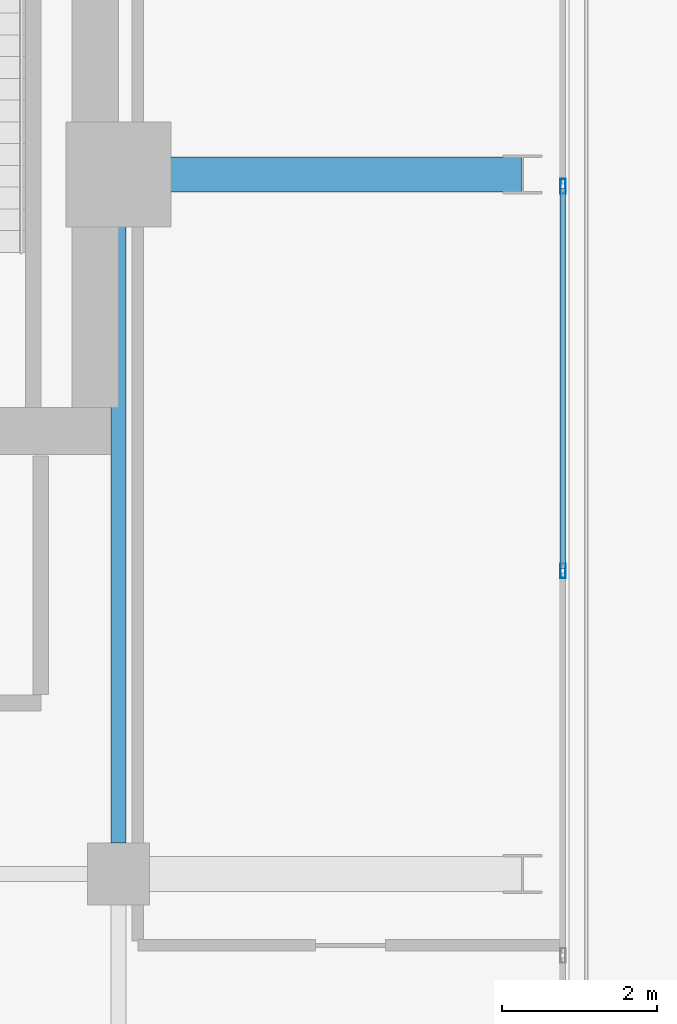
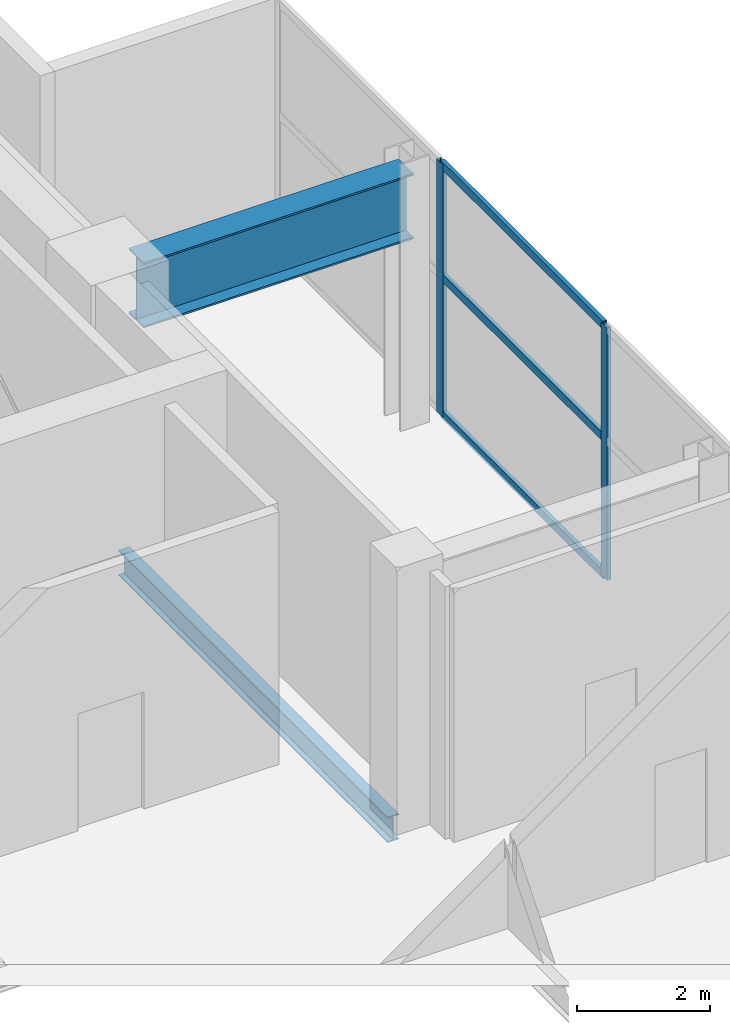
# One storey, part 12 of 22: 5 members, 2 beams, 1 element without a shape of its own.
"""IFC4 building model written with IfcOpenShell, lengths in metres."""

from ifc_helpers import new_model, si_unit, direction, frame, origin, origin_2d, place, context, subcontext, project, spatial, hollow_rectangle, i_section, extrude, material, layer, layer_set, material_profile, profile_set, type_object, element, aggregate, save


model = new_model("IFC4")

# Units and contexts
model_context = context("Model", 3, precision=1e-05, world=origin(), true_north=direction((0.0, 1.0)))
body_context = subcontext(model_context, "Body", "Model", "MODEL_VIEW")
ifc_project = project(units=[si_unit("LENGTHUNIT", "METRE"), si_unit("AREAUNIT", "SQUARE_METRE"), si_unit("VOLUMEUNIT", "CUBIC_METRE"), si_unit("PLANEANGLEUNIT", "RADIAN"), si_unit("MASSUNIT", "GRAM", prefix="KILO")], contexts=[model_context])

# Site, building, storey
site_placement = place(None, origin())
site = spatial("IfcSite", under=ifc_project, at=site_placement, CompositionType="ELEMENT")
building_placement = place(site_placement, origin())
building = spatial("IfcBuilding", under=site, at=building_placement, Name="Maruvema Waterfront Hotel and Observation Tower", CompositionType="ELEMENT")
storey_placement = place(building_placement, frame((0.0, 0.0, 354.199951171875)))
storey = spatial("IfcBuildingStorey", under=building, at=storey_placement, Name="L87", CompositionType="ELEMENT", Elevation=354.199951171875)

# Curtain wall, members
ifc_material_1 = material(Name="Anodised bronze aluminium and solar-control low-E IGU", Category="aluminium")
ifc_layer = layer(ifc_material_1, 0.159912109375, Name="Observation Crown Structural Glazed Curtain Wall System CW-06")
ifc_layer_set = layer_set([ifc_layer], Name="Anodised bronze aluminium and solar-control low-E IGU")
curtain_wall_type = type_object("IfcCurtainWallType", Name="Observation Crown Structural Glazed Curtain Wall System CW-06", PredefinedType="USERDEFINED", material=ifc_layer_set)
curtain_wall_placement = place(storey_placement, origin())
curtain_wall = element("IfcCurtainWall", 1, at=curtain_wall_placement, inside=storey, type_object=curtain_wall_type, Name="L87 Curtain Wall CW-L87-EN", ObjectType="UNITISED CURTAIN WALL", PredefinedType="USERDEFINED")
ifc_material_2 = material(Name="Anodised architectural bronze aluminium", Category="aluminium")
ifc_material_profile_1 = material_profile(ifc_material_2, hollow_rectangle(XDim=0.070068359375, YDim=0.14990234375, WallThickness=0.00390625, at=origin_2d()), Name="ALU-T70x150")
ifc_profile_set_1 = profile_set([ifc_material_profile_1], Name="Anodised architectural bronze aluminium")
member_type_1 = type_object("IfcMemberType", Name="Curtain Wall Horizontal Transom ALU-T70x150", PredefinedType="USERDEFINED", material=ifc_profile_set_1)
member_1_placement = place(storey_placement, frame((56.1201171875, 39.929931640625, 0.030029296875), z_axis=(0.0, 1.0, 0.0), x_axis=(-1.0, 0.0, 0.0)))
member_1 = element("IfcMember", 2, at=member_1_placement, type_object=member_type_1, Name="CW-06 transom 3.1", ObjectType="TRANSOM", PredefinedType="USERDEFINED", context=body_context, shape_type="SweptSolid", body=[
    extrude(hollow_rectangle(XDim=0.070068359375, YDim=0.14990234375, WallThickness=0.00390625, at=origin_2d()), origin(), (0.0, 0.0, 1.0), 4.89013671875),
])
member_2_placement = place(storey_placement, frame((56.1201171875, 39.929931640625, 2.550048828125), z_axis=(0.0, 1.0, 0.0), x_axis=(-1.0, 0.0, 0.0)))
member_2 = element("IfcMember", 3, at=member_2_placement, type_object=member_type_1, Name="CW-06 transom 3.2", ObjectType="TRANSOM", PredefinedType="USERDEFINED", context=body_context, shape_type="SweptSolid", body=[
    extrude(hollow_rectangle(XDim=0.070068359375, YDim=0.14990234375, WallThickness=0.00390625, at=origin_2d()), origin(), (0.0, 0.0, 1.0), 4.89013671875),
])
member_3_placement = place(storey_placement, frame((56.1201171875, 39.929931640625, 4.610107421875), z_axis=(0.0, 1.0, 0.0), x_axis=(-1.0, 0.0, 0.0)))
member_3 = element("IfcMember", 4, at=member_3_placement, type_object=member_type_1, Name="CW-06 transom 3.3", ObjectType="TRANSOM", PredefinedType="USERDEFINED", context=body_context, shape_type="SweptSolid", body=[
    extrude(hollow_rectangle(XDim=0.070068359375, YDim=0.14990234375, WallThickness=0.00390625, at=origin_2d()), origin(), (0.0, 0.0, 1.0), 4.89013671875),
])
ifc_material_3 = material(Name="Anodised architectural bronze aluminium", Category="aluminium")
ifc_material_profile_2 = material_profile(ifc_material_3, hollow_rectangle(XDim=0.070068359375, YDim=0.18994140625, WallThickness=0.00390625, at=origin_2d()), Name="ALU-M70x190")
ifc_profile_set_2 = profile_set([ifc_material_profile_2], Name="Anodised architectural bronze aluminium")
member_type_2 = type_object("IfcMemberType", Name="Podium Storefront Heavy Mullion ALU-M70x190", PredefinedType="MULLION", material=ifc_profile_set_2)
member_4_placement = place(storey_placement, frame((56.1201171875, 39.89990234375, 0.0), z_axis=(0.0, 0.0, 1.0), x_axis=(-1.0, 0.0, 0.0)))
member_4 = element("IfcMember", 5, at=member_4_placement, type_object=member_type_2, Name="CW-06 mullion 3", PredefinedType="MULLION", context=body_context, shape_type="SweptSolid", body=[
    extrude(hollow_rectangle(XDim=0.070068359375, YDim=0.18994140625, WallThickness=0.00390625, at=origin_2d()), origin(), (0.0, 0.0, 1.0), 4.64013671875),
])
member_5_placement = place(storey_placement, frame((56.1201171875, 44.85009765625, 0.0), z_axis=(0.0, 0.0, 1.0), x_axis=(-1.0, 0.0, 0.0)))
member_5 = element("IfcMember", 6, at=member_5_placement, type_object=member_type_2, Name="CW-06 mullion 4", PredefinedType="MULLION", context=body_context, shape_type="SweptSolid", body=[
    extrude(hollow_rectangle(XDim=0.070068359375, YDim=0.18994140625, WallThickness=0.00390625, at=origin_2d()), origin(), (0.0, 0.0, 1.0), 4.64013671875),
])
aggregate(curtain_wall, [member_4, member_5, member_1, member_2, member_3])

# Beams
ifc_material_4 = material(Name="Steel ASTM A572 Grade 50", Category="steel")
ifc_material_profile_3 = material_profile(ifc_material_4, i_section(OverallWidth=0.194091796875, OverallDepth=0.468994140625, WebThickness=0.0126953125, FlangeThickness=0.0205078125, FilletRadius=0.014892578125, at=origin_2d()), Name="W460x106.0")
ifc_profile_set_3 = profile_set([ifc_material_profile_3], Name="Steel ASTM A572 Grade 50")
beam_type_1 = type_object("IfcBeamType", Name="Primary Floor Girder W460x106.0", PredefinedType="BEAM", material=ifc_profile_set_3)
beam_1_placement = place(storey_placement, frame((50.39990234375, 36.39990234375, -0.494384765625), z_axis=(0.0, 1.0, 0.0), x_axis=(-1.0, 0.0, 0.0)))
element("IfcBeam", 7, at=beam_1_placement, inside=storey, type_object=beam_type_1, Name="L87 Floor Girder NS-08", PredefinedType="BEAM", context=body_context, shape_type="SweptSolid", body=[
    extrude(i_section(OverallWidth=0.194091796875, OverallDepth=0.468994140625, WebThickness=0.0126953125, FlangeThickness=0.0205078125, FilletRadius=0.014892578125, at=origin_2d()), origin(), (0.0, 0.0, 1.0), 8.10009765625),
])
ifc_material_5 = material(Name="Steel ABNT NBR 7007 AR 415 (ASTM A572 Grade 50)", Category="steel")
ifc_material_profile_4 = material_profile(ifc_material_5, i_section(OverallWidth=0.449951171875, OverallDepth=1.199951171875, WebThickness=0.01904296875, FlangeThickness=0.031982421875, at=origin_2d()), Name="VS1200x366")
ifc_profile_set_4 = profile_set([ifc_material_profile_4], Name="Steel ABNT NBR 7007 AR 415 (ASTM A572 Grade 50)")
beam_type_2 = type_object("IfcBeamType", Name="Upper Setback Transfer Girder VS1200x366", PredefinedType="USERDEFINED", material=ifc_profile_set_4)
beam_2_placement = place(storey_placement, frame((50.89990234375, 45.0, 4.0400390625), z_axis=(1.0, 0.0, 0.0), x_axis=(0.0, 1.0, 0.0)))
element("IfcBeam", 8, at=beam_2_placement, inside=storey, type_object=beam_type_2, Name="L87 Upper Setback Transfer Girder E Y=45.0m", ObjectType="TRANSFER GIRDER", PredefinedType="USERDEFINED", context=body_context, shape_type="SweptSolid", body=[
    extrude(i_section(OverallWidth=0.449951171875, OverallDepth=1.199951171875, WebThickness=0.01904296875, FlangeThickness=0.031982421875, at=origin_2d()), origin(), (0.0, 0.0, 1.0), 4.689208984375),
])

save(model, "model.ifc")
